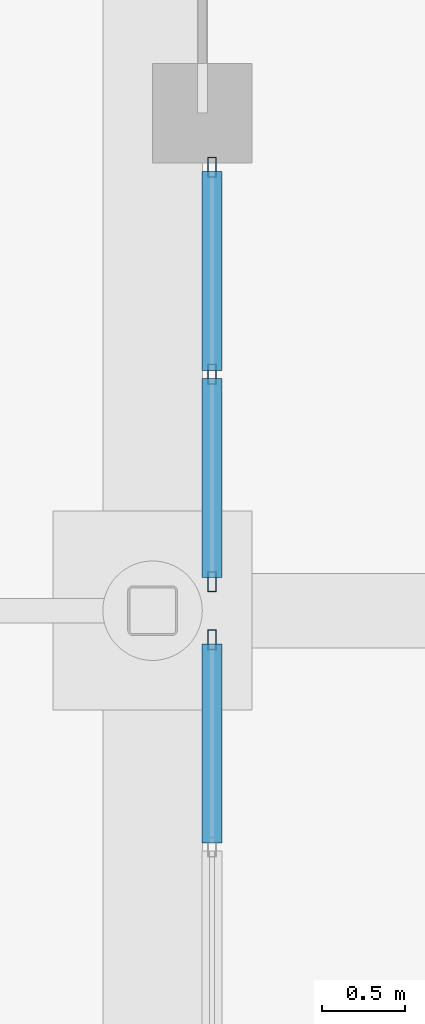
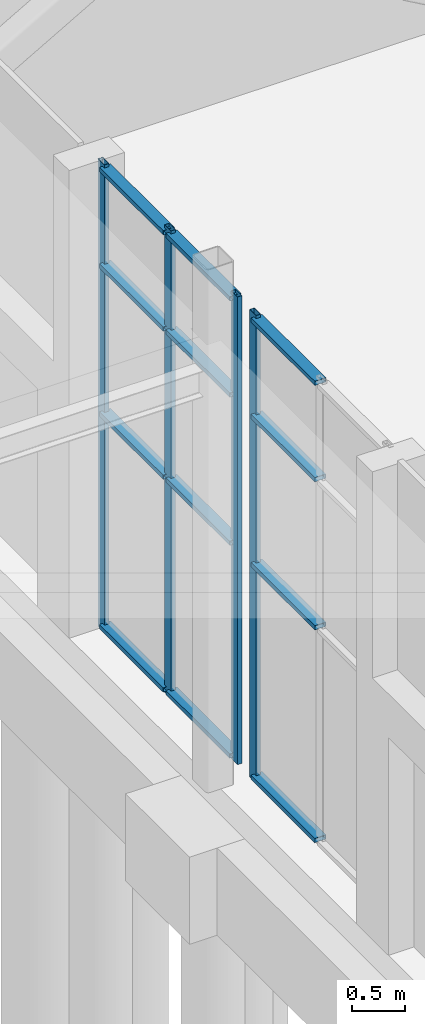
# One storey, part 50 of 139: 16 members, 2 elements without a shape of their own.
"""IFC4 building model written with IfcOpenShell, lengths in metres."""

from ifc_helpers import new_model, si_unit, direction, frame, origin, origin_2d, place, context, subcontext, project, spatial, hollow_rectangle, extrude, material, layer, layer_set, material_profile, profile_set, type_object, element, aggregate, save


model = new_model("IFC4")

# Units and contexts
model_context = context("Model", 3, precision=1e-05, world=origin(), true_north=direction((0.0, 1.0)))
body_context = subcontext(model_context, "Body", "Model", "MODEL_VIEW")
ifc_project = project(units=[si_unit("LENGTHUNIT", "METRE"), si_unit("AREAUNIT", "SQUARE_METRE"), si_unit("VOLUMEUNIT", "CUBIC_METRE"), si_unit("PLANEANGLEUNIT", "RADIAN"), si_unit("MASSUNIT", "GRAM", prefix="KILO")], contexts=[model_context])

# Site, building, storey
site_placement = place(None, origin())
site = spatial("IfcSite", under=ifc_project, at=site_placement, CompositionType="ELEMENT")
building_placement = place(site_placement, origin())
building = spatial("IfcBuilding", under=site, at=building_placement, Name="Shorebreak Coast Museum", CompositionType="ELEMENT")
storey_placement = place(building_placement, origin())
storey = spatial("IfcBuildingStorey", under=building, at=storey_placement, Name="L00", CompositionType="ELEMENT", Elevation=0.0)

# Curtain wall, member
ifc_material_1 = material(Name="Aluminium", Category="aluminium")
ifc_layer = layer(ifc_material_1, 0.1201171875)
ifc_layer_set = layer_set([ifc_layer], Name="Aluminium")
curtain_wall_type = type_object("IfcCurtainWallType", Name="Entrance sidelight curtain wall", PredefinedType="NOTDEFINED", material=ifc_layer_set)
curtain_wall_1_placement = place(storey_placement, origin())
curtain_wall_1 = element("IfcCurtainWall", 1, at=curtain_wall_1_placement, inside=storey, type_object=curtain_wall_type, Name="Entrance glazing ENT-W 2", PredefinedType="NOTDEFINED")
ifc_material_2 = material(Name="Aluminium", Category="aluminium")
ifc_material_profile_1 = material_profile(ifc_material_2, hollow_rectangle(XDim=0.050048828125, YDim=0.1201171875, WallThickness=0.0029296875, at=origin_2d()), Name="AL 120x50 RHS")
ifc_profile_set_1 = profile_set([ifc_material_profile_1], Name="Aluminium")
member_type_1 = type_object("IfcMemberType", Name="Entrance mullion 50 x 120", PredefinedType="MULLION", material=ifc_profile_set_1)
member_1_placement = place(storey_placement, frame((0.3583984375, 71.824951171875, 0.0), z_axis=(0.0, 0.0, 1.0), x_axis=(-1.0, 0.0, 0.0)))
member_1 = element("IfcMember", 2, at=member_1_placement, type_object=member_type_1, Name="CW1 mullion 3", PredefinedType="MULLION", context=body_context, shape_type="SweptSolid", body=[
    extrude(hollow_rectangle(XDim=0.050048828125, YDim=0.1201171875, WallThickness=0.0029296875, at=origin_2d()), origin(), (0.0, 0.0, 1.0), 5.364501953125),
])

# Curtain wall, members
curtain_wall_2_placement = place(storey_placement, origin())
curtain_wall_2 = element("IfcCurtainWall", 3, at=curtain_wall_2_placement, inside=storey, type_object=curtain_wall_type, Name="Entrance glazing ENT-W 3", PredefinedType="NOTDEFINED")
member_2_placement = place(storey_placement, frame((0.3583984375, 72.175048828125, 0.0), z_axis=(0.0, 0.0, 1.0), x_axis=(-1.0, 0.0, 0.0)))
member_2 = element("IfcMember", 4, at=member_2_placement, type_object=member_type_1, Name="CW2 mullion 1", PredefinedType="MULLION", context=body_context, shape_type="SweptSolid", body=[
    extrude(hollow_rectangle(XDim=0.050048828125, YDim=0.1201171875, WallThickness=0.0029296875, at=origin_2d()), origin(), (0.0, 0.0, 1.0), 5.364501953125),
])
member_3_placement = place(storey_placement, frame((0.3583984375, 73.425048828125, 0.0), z_axis=(0.0, 0.0, 1.0), x_axis=(-1.0, 0.0, 0.0)))
member_3 = element("IfcMember", 5, at=member_3_placement, type_object=member_type_1, Name="CW2 mullion 2", PredefinedType="MULLION", context=body_context, shape_type="SweptSolid", body=[
    extrude(hollow_rectangle(XDim=0.050048828125, YDim=0.1201171875, WallThickness=0.0029296875, at=origin_2d()), origin(), (0.0, 0.0, 1.0), 5.364501953125),
])
member_4_placement = place(storey_placement, frame((0.3583984375, 74.675048828125, 0.0), z_axis=(0.0, 0.0, 1.0), x_axis=(-1.0, 0.0, 0.0)))
member_4 = element("IfcMember", 6, at=member_4_placement, type_object=member_type_1, Name="CW2 mullion 3", PredefinedType="MULLION", context=body_context, shape_type="SweptSolid", body=[
    extrude(hollow_rectangle(XDim=0.050048828125, YDim=0.1201171875, WallThickness=0.0029296875, at=origin_2d()), origin(), (0.0, 0.0, 1.0), 5.364501953125),
])

# Member
ifc_material_3 = material(Name="Aluminium", Category="aluminium")
ifc_material_profile_2 = material_profile(ifc_material_3, hollow_rectangle(XDim=0.1201171875, YDim=0.050048828125, WallThickness=0.0029296875, at=origin_2d()), Name="AL 50x120 RHS")
ifc_profile_set_2 = profile_set([ifc_material_profile_2], Name="Aluminium")
member_type_2 = type_object("IfcMemberType", Name="Entrance transom 120 x 50", PredefinedType="USERDEFINED", material=ifc_profile_set_2)
member_5_placement = place(storey_placement, frame((0.3583984375, 70.60009765625, 0.06005859375), z_axis=(0.0, 1.0, 0.0), x_axis=(-1.0, 0.0, 0.0)))
member_5 = element("IfcMember", 7, at=member_5_placement, type_object=member_type_2, Name="CW1 transom 2.1", ObjectType="TRANSOM", PredefinedType="USERDEFINED", context=body_context, shape_type="SweptSolid", body=[
    extrude(hollow_rectangle(XDim=0.1201171875, YDim=0.050048828125, WallThickness=0.0029296875, at=origin_2d()), origin(), (0.0, 0.0, 1.0), 1.199951171875),
])

member_6_placement = place(storey_placement, frame((0.3583984375, 70.60009765625, 2.5), z_axis=(0.0, 1.0, 0.0), x_axis=(-1.0, 0.0, 0.0)))
member_6 = element("IfcMember", 8, at=member_6_placement, type_object=member_type_2, Name="CW1 transom 2.2", ObjectType="TRANSOM", PredefinedType="USERDEFINED", context=body_context, shape_type="SweptSolid", body=[
    extrude(hollow_rectangle(XDim=0.1201171875, YDim=0.050048828125, WallThickness=0.0029296875, at=origin_2d()), origin(), (0.0, 0.0, 1.0), 1.199951171875),
])

member_7_placement = place(storey_placement, frame((0.3583984375, 70.60009765625, 4.199951171875), z_axis=(0.0, 1.0, 0.0), x_axis=(-1.0, 0.0, 0.0)))
member_7 = element("IfcMember", 9, at=member_7_placement, type_object=member_type_2, Name="CW1 transom 2.3", ObjectType="TRANSOM", PredefinedType="USERDEFINED", context=body_context, shape_type="SweptSolid", body=[
    extrude(hollow_rectangle(XDim=0.1201171875, YDim=0.050048828125, WallThickness=0.0029296875, at=origin_2d()), origin(), (0.0, 0.0, 1.0), 1.199951171875),
])

member_8_placement = place(storey_placement, frame((0.3583984375, 70.60009765625, 5.3046875), z_axis=(0.0, 1.0, 0.0), x_axis=(-1.0, 0.0, 0.0)))
member_8 = element("IfcMember", 10, at=member_8_placement, type_object=member_type_2, Name="CW1 transom 2.4", ObjectType="TRANSOM", PredefinedType="USERDEFINED", context=body_context, shape_type="SweptSolid", body=[
    extrude(hollow_rectangle(XDim=0.1201171875, YDim=0.050048828125, WallThickness=0.0029296875, at=origin_2d()), origin(), (0.0, 0.0, 1.0), 1.199951171875),
])

aggregate(curtain_wall_1, [member_1, member_5, member_6, member_7, member_8])

member_9_placement = place(storey_placement, frame((0.3583984375, 72.199951171875, 0.06005859375), z_axis=(0.0, 1.0, 0.0), x_axis=(-1.0, 0.0, 0.0)))
member_9 = element("IfcMember", 11, at=member_9_placement, type_object=member_type_2, Name="CW2 transom 1.1", ObjectType="TRANSOM", PredefinedType="USERDEFINED", context=body_context, shape_type="SweptSolid", body=[
    extrude(hollow_rectangle(XDim=0.1201171875, YDim=0.050048828125, WallThickness=0.0029296875, at=origin_2d()), origin(), (0.0, 0.0, 1.0), 1.199951171875),
])

member_10_placement = place(storey_placement, frame((0.3583984375, 72.199951171875, 2.5), z_axis=(0.0, 1.0, 0.0), x_axis=(-1.0, 0.0, 0.0)))
member_10 = element("IfcMember", 12, at=member_10_placement, type_object=member_type_2, Name="CW2 transom 1.2", ObjectType="TRANSOM", PredefinedType="USERDEFINED", context=body_context, shape_type="SweptSolid", body=[
    extrude(hollow_rectangle(XDim=0.1201171875, YDim=0.050048828125, WallThickness=0.0029296875, at=origin_2d()), origin(), (0.0, 0.0, 1.0), 1.199951171875),
])

member_11_placement = place(storey_placement, frame((0.3583984375, 72.199951171875, 4.199951171875), z_axis=(0.0, 1.0, 0.0), x_axis=(-1.0, 0.0, 0.0)))
member_11 = element("IfcMember", 13, at=member_11_placement, type_object=member_type_2, Name="CW2 transom 1.3", ObjectType="TRANSOM", PredefinedType="USERDEFINED", context=body_context, shape_type="SweptSolid", body=[
    extrude(hollow_rectangle(XDim=0.1201171875, YDim=0.050048828125, WallThickness=0.0029296875, at=origin_2d()), origin(), (0.0, 0.0, 1.0), 1.199951171875),
])

member_12_placement = place(storey_placement, frame((0.3583984375, 72.199951171875, 5.3046875), z_axis=(0.0, 1.0, 0.0), x_axis=(-1.0, 0.0, 0.0)))
member_12 = element("IfcMember", 14, at=member_12_placement, type_object=member_type_2, Name="CW2 transom 1.4", ObjectType="TRANSOM", PredefinedType="USERDEFINED", context=body_context, shape_type="SweptSolid", body=[
    extrude(hollow_rectangle(XDim=0.1201171875, YDim=0.050048828125, WallThickness=0.0029296875, at=origin_2d()), origin(), (0.0, 0.0, 1.0), 1.199951171875),
])

member_13_placement = place(storey_placement, frame((0.3583984375, 73.449951171875, 0.06005859375), z_axis=(0.0, 1.0, 0.0), x_axis=(-1.0, 0.0, 0.0)))
member_13 = element("IfcMember", 15, at=member_13_placement, type_object=member_type_2, Name="CW2 transom 2.1", ObjectType="TRANSOM", PredefinedType="USERDEFINED", context=body_context, shape_type="SweptSolid", body=[
    extrude(hollow_rectangle(XDim=0.1201171875, YDim=0.050048828125, WallThickness=0.0029296875, at=origin_2d()), origin(), (0.0, 0.0, 1.0), 1.199951171875),
])

member_14_placement = place(storey_placement, frame((0.3583984375, 73.449951171875, 2.5), z_axis=(0.0, 1.0, 0.0), x_axis=(-1.0, 0.0, 0.0)))
member_14 = element("IfcMember", 16, at=member_14_placement, type_object=member_type_2, Name="CW2 transom 2.2", ObjectType="TRANSOM", PredefinedType="USERDEFINED", context=body_context, shape_type="SweptSolid", body=[
    extrude(hollow_rectangle(XDim=0.1201171875, YDim=0.050048828125, WallThickness=0.0029296875, at=origin_2d()), origin(), (0.0, 0.0, 1.0), 1.199951171875),
])

member_15_placement = place(storey_placement, frame((0.3583984375, 73.449951171875, 4.199951171875), z_axis=(0.0, 1.0, 0.0), x_axis=(-1.0, 0.0, 0.0)))
member_15 = element("IfcMember", 17, at=member_15_placement, type_object=member_type_2, Name="CW2 transom 2.3", ObjectType="TRANSOM", PredefinedType="USERDEFINED", context=body_context, shape_type="SweptSolid", body=[
    extrude(hollow_rectangle(XDim=0.1201171875, YDim=0.050048828125, WallThickness=0.0029296875, at=origin_2d()), origin(), (0.0, 0.0, 1.0), 1.199951171875),
])

member_16_placement = place(storey_placement, frame((0.3583984375, 73.449951171875, 5.3046875), z_axis=(0.0, 1.0, 0.0), x_axis=(-1.0, 0.0, 0.0)))
member_16 = element("IfcMember", 18, at=member_16_placement, type_object=member_type_2, Name="CW2 transom 2.4", ObjectType="TRANSOM", PredefinedType="USERDEFINED", context=body_context, shape_type="SweptSolid", body=[
    extrude(hollow_rectangle(XDim=0.1201171875, YDim=0.050048828125, WallThickness=0.0029296875, at=origin_2d()), origin(), (0.0, 0.0, 1.0), 1.199951171875),
])

aggregate(curtain_wall_2, [member_2, member_3, member_4, member_9, member_10, member_11, member_12, member_13, member_14, member_15, member_16])

save(model, "model.ifc")
